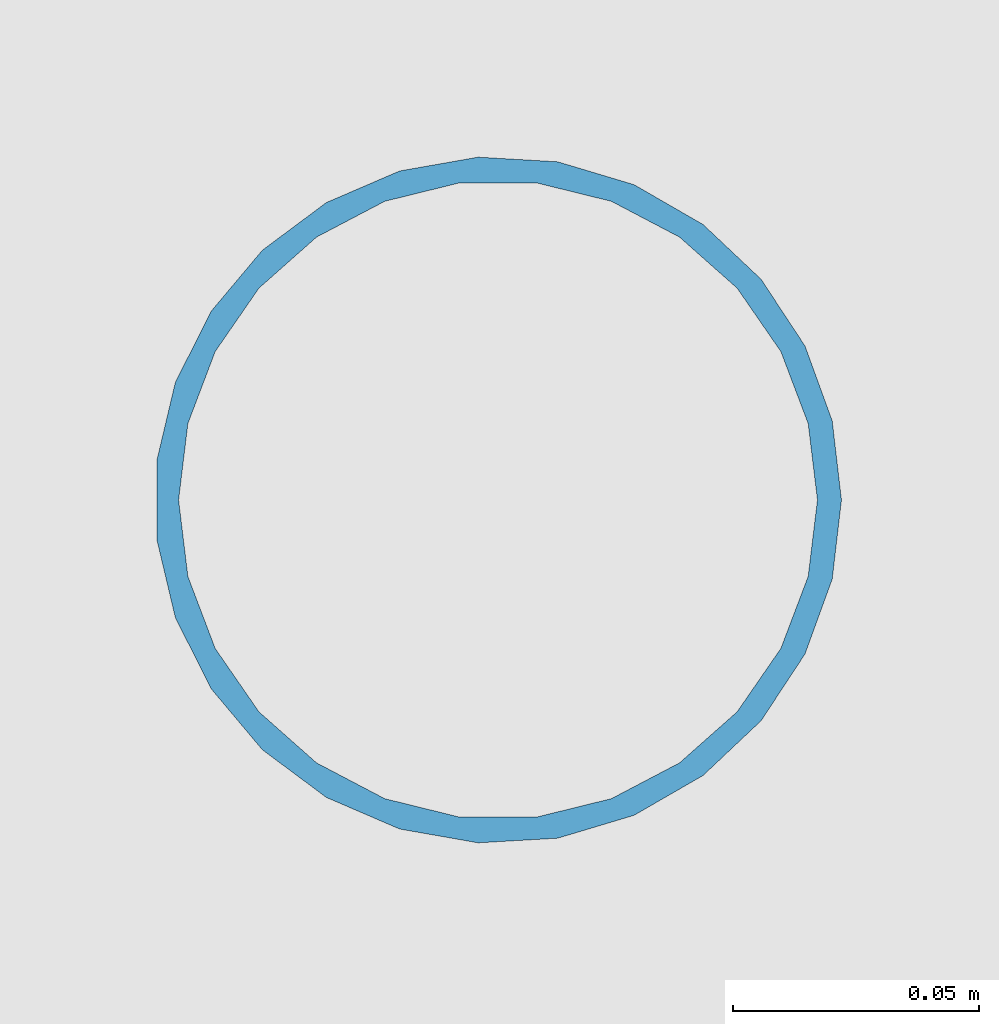
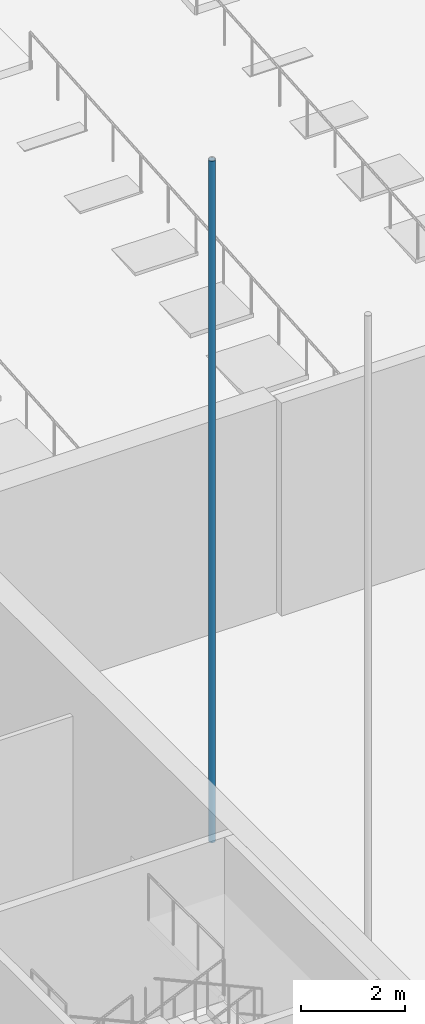
# One storey, part 10 of 80: 1 member.
"""IFC4 building model written with IfcOpenShell, lengths in metres."""

from ifc_helpers import new_model, si_unit, direction, frame, origin, origin_2d, place, context, subcontext, project, spatial, hollow_circle, extrude, material, material_profile, profile_set, type_object, element, save


model = new_model("IFC4")

# Units and contexts
model_context = context("Model", 3, precision=1e-05, world=origin(), true_north=direction((0.0, 1.0)))
body_context = subcontext(model_context, "Body", "Model", "MODEL_VIEW")
ifc_project = project(units=[si_unit("LENGTHUNIT", "METRE"), si_unit("AREAUNIT", "SQUARE_METRE"), si_unit("VOLUMEUNIT", "CUBIC_METRE"), si_unit("PLANEANGLEUNIT", "RADIAN"), si_unit("MASSUNIT", "GRAM", prefix="KILO")], contexts=[model_context])

# Site, building, storey
site_placement = place(None, origin())
site = spatial("IfcSite", under=ifc_project, at=site_placement, CompositionType="ELEMENT")
building_placement = place(site_placement, origin())
building = spatial("IfcBuilding", under=site, at=building_placement, Name="Saffron Lane Theatres", CompositionType="ELEMENT")
storey_placement = place(building_placement, frame((0.0, 0.0, 7.0)))
storey = spatial("IfcBuildingStorey", under=building, at=storey_placement, Name="L01", CompositionType="ELEMENT", Elevation=7.0)

# Member
ifc_material = material(Name="Steel Grade 350", Category="steel")
ifc_material_profile = material_profile(ifc_material, hollow_circle(Radius=0.06982421875, WallThickness=0.0048828125, at=origin_2d()))
ifc_profile_set = profile_set([ifc_material_profile], Name="Steel Grade 350")
member_type = type_object("IfcMemberType", Name="ST-GUIDE POST 139.7x5.0 CHS", PredefinedType="POST", material=ifc_profile_set)
member_placement = place(storey_placement, frame((21.10009765625, 48.0, 0.0), z_axis=(0.0, 0.0, 1.0), x_axis=(1.0, 0.0, 0.0)))
element("IfcMember", 1, at=member_placement, inside=storey, type_object=member_type, Name="GR2", PredefinedType="POST", context=body_context, shape_type="SweptSolid", body=[
    extrude(hollow_circle(Radius=0.06982421875, WallThickness=0.0048828125, at=origin_2d()), origin(), (0.0, 0.0, 1.0), 16.0),
])

save(model, "model.ifc")
